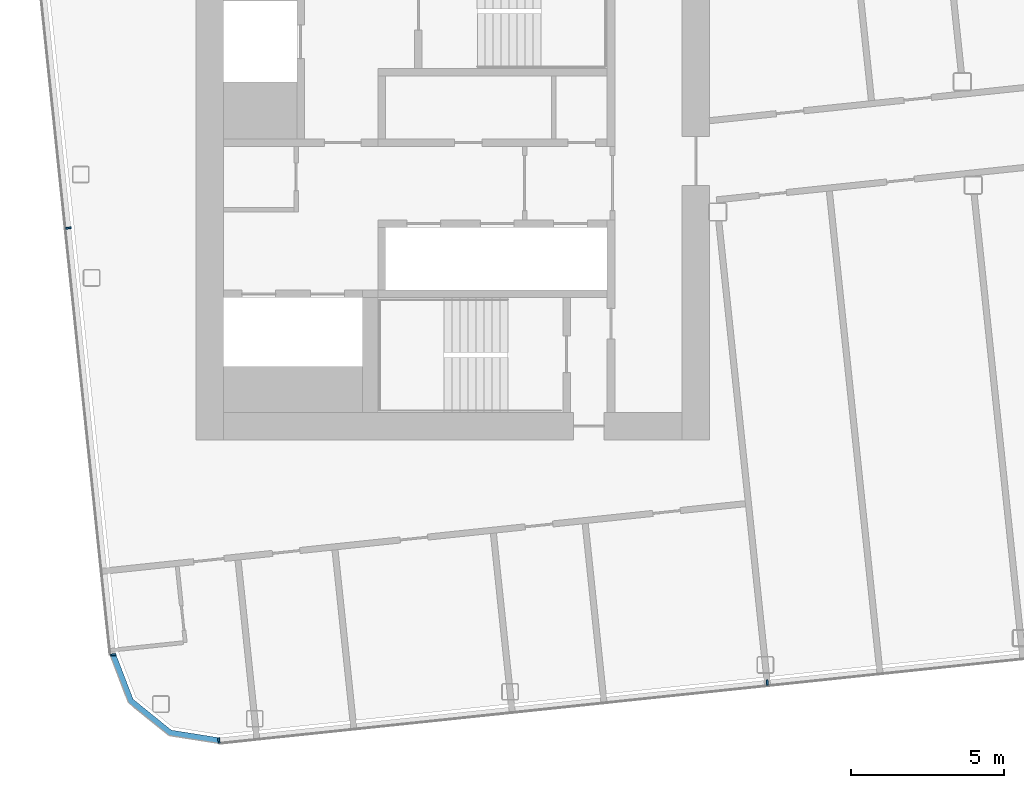
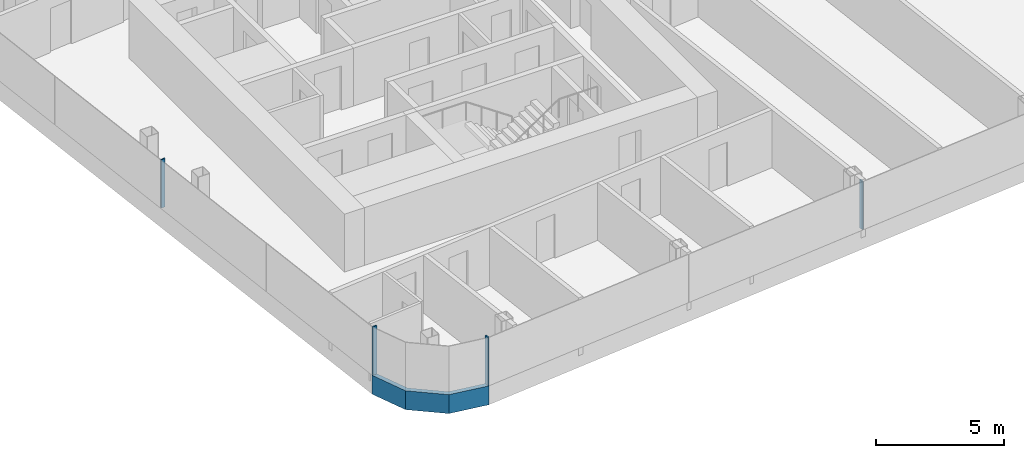
# One storey, part 3 of 27: 5 members, 3 elements without a shape of their own.
"""IFC4 building model written with IfcOpenShell, lengths in metres."""

from ifc_helpers import new_model, si_unit, direction, frame, origin, origin_2d, place, context, subcontext, project, spatial, polyline, rectangle, outline, extrude, material, layer, layer_set, material_profile, profile_set, type_object, element, aggregate, save


model = new_model("IFC4")

# Units and contexts
model_context = context("Model", 3, precision=1e-05, world=origin(), true_north=direction((0.0, 1.0)))
body_context = subcontext(model_context, "Body", "Model", "MODEL_VIEW")
ifc_project = project(units=[si_unit("LENGTHUNIT", "METRE"), si_unit("AREAUNIT", "SQUARE_METRE"), si_unit("VOLUMEUNIT", "CUBIC_METRE"), si_unit("PLANEANGLEUNIT", "RADIAN"), si_unit("MASSUNIT", "GRAM", prefix="KILO")], contexts=[model_context])

# Site, building, storey
site_placement = place(None, origin())
site = spatial("IfcSite", under=ifc_project, at=site_placement, CompositionType="ELEMENT")
building_placement = place(site_placement, origin())
building = spatial("IfcBuilding", under=site, at=building_placement, Name="Hakoniwa Tower and Hamabe Station Hall", CompositionType="ELEMENT")
storey_placement = place(building_placement, frame((0.0, 0.0, 239.0)))
storey = spatial("IfcBuildingStorey", under=building, at=storey_placement, Name="L67", CompositionType="ELEMENT", Elevation=239.0)

# Curtain wall, member
ifc_material_1 = material(Name="Dark low-e laminated glass", Category="glass")
ifc_layer = layer(ifc_material_1, 0.199951171875)
ifc_layer_set = layer_set([ifc_layer], Name="CW-1 UNITISED GUEST")
curtain_wall_type = type_object("IfcCurtainWallType", Name="CW-1 UNITISED GUEST", PredefinedType="NOTDEFINED", material=ifc_layer_set)
curtain_wall_1_placement = place(storey_placement, origin())
curtain_wall_1 = element("IfcCurtainWall", 1, at=curtain_wall_1_placement, inside=storey, type_object=curtain_wall_type, Name="CW-1 curtain wall", PredefinedType="NOTDEFINED")
ifc_material_2 = material(Name="Aluminium 6063-T5 black anodised", Category="aluminium")
ifc_material_profile_1 = material_profile(ifc_material_2, rectangle(XDim=0.199951171875, YDim=0.89990234375, at=origin_2d()), Name="CW SLAB-EDGE BAND 900X200")
ifc_profile_set_1 = profile_set([ifc_material_profile_1], Name="Aluminium 6063-T5 black anodised")
member_type_1 = type_object("IfcMemberType", Name="CW SLAB-EDGE BAND 900X200", PredefinedType="USERDEFINED", material=ifc_profile_set_1)
member_1_placement = place(storey_placement, frame((0.0, 0.0, -0.550048828125)))
member_1 = element("IfcMember", 2, at=member_1_placement, type_object=member_type_1, Name="CW-1 transom", ObjectType="TRANSOM", PredefinedType="USERDEFINED", context=body_context, shape_type="SweptSolid", body=[
    extrude(outline(polyline([(-36.423828125, -15.445068359375), (-35.82421875, -17.0068359375), (-34.492431640625, -18.085205078125), (-32.84033203125, -18.346923828125), (-32.80908203125, -18.1494140625), (-34.408203125, -17.89599609375), (-35.65673828125, -16.885009765625), (-36.237060546875, -15.37353515625), (-36.423828125, -15.445068359375)])), origin(), (0.0, 0.0, 1.0), 0.900146484375),
])
aggregate(curtain_wall_1, [member_1])

# Curtain wall, members
curtain_wall_2_placement = place(storey_placement, origin())
curtain_wall_2 = element("IfcCurtainWall", 3, at=curtain_wall_2_placement, inside=storey, type_object=curtain_wall_type, Name="CW-1 curtain wall", PredefinedType="NOTDEFINED")
ifc_material_3 = material(Name="Aluminium 6063-T5 black anodised", Category="aluminium")
ifc_material_profile_2 = material_profile(ifc_material_3, rectangle(XDim=0.06005859375, YDim=0.179931640625, at=origin_2d()), Name="CW-1 MULLION 60X180")
ifc_profile_set_2 = profile_set([ifc_material_profile_2], Name="Aluminium 6063-T5 black anodised")
member_type_2 = type_object("IfcMemberType", Name="CW-1 MULLION 60X180", PredefinedType="MULLION", material=ifc_profile_set_2)
member_2_placement = place(storey_placement, frame((-37.77392578125, -1.47021484375, 0.35009765625), z_axis=(0.0, 0.0, 1.0), x_axis=(0.104528468631, -0.994521894805, 0.0)))
member_2 = element("IfcMember", 4, at=member_2_placement, type_object=member_type_2, Name="CW-1 mullion", PredefinedType="MULLION", context=body_context, shape_type="SweptSolid", body=[
    extrude(rectangle(XDim=0.06005859375, YDim=0.179931640625, at=origin_2d()), origin(), (0.0, 0.0, 1.0), 2.2998046875),
])
member_3_placement = place(storey_placement, frame((-36.306396484375, -15.432861328125, 0.35009765625), z_axis=(0.0, 0.0, 1.0), x_axis=(0.104528468631, -0.994521894805, 0.0)))
member_3 = element("IfcMember", 5, at=member_3_placement, type_object=member_type_2, Name="CW-1 mullion", PredefinedType="MULLION", context=body_context, shape_type="SweptSolid", body=[
    extrude(rectangle(XDim=0.06005859375, YDim=0.179931640625, at=origin_2d()), origin(), (0.0, 0.0, 1.0), 2.2998046875),
])
aggregate(curtain_wall_2, [member_2, member_3])

curtain_wall_3_placement = place(storey_placement, origin())
curtain_wall_3 = element("IfcCurtainWall", 6, at=curtain_wall_3_placement, inside=storey, type_object=curtain_wall_type, Name="CW-1 curtain wall", PredefinedType="NOTDEFINED")
member_4_placement = place(storey_placement, frame((-32.8525390625, -18.2294921875, 0.35009765625), z_axis=(0.0, 0.0, 1.0), x_axis=(0.994521895272, 0.104528464188, 0.0)))
member_4 = element("IfcMember", 7, at=member_4_placement, type_object=member_type_2, Name="CW-1 mullion", PredefinedType="MULLION", context=body_context, shape_type="SweptSolid", body=[
    extrude(rectangle(XDim=0.06005859375, YDim=0.179931640625, at=origin_2d()), origin(), (0.0, 0.0, 1.0), 2.2998046875),
])
member_5_placement = place(storey_placement, frame((-14.911865234375, -16.343994140625, 0.35009765625), z_axis=(0.0, 0.0, 1.0), x_axis=(0.994521895272, 0.104528464188, 0.0)))
member_5 = element("IfcMember", 8, at=member_5_placement, type_object=member_type_2, Name="CW-1 mullion", PredefinedType="MULLION", context=body_context, shape_type="SweptSolid", body=[
    extrude(rectangle(XDim=0.06005859375, YDim=0.179931640625, at=origin_2d()), origin(), (0.0, 0.0, 1.0), 2.2998046875),
])
aggregate(curtain_wall_3, [member_4, member_5])

save(model, "model.ifc")
